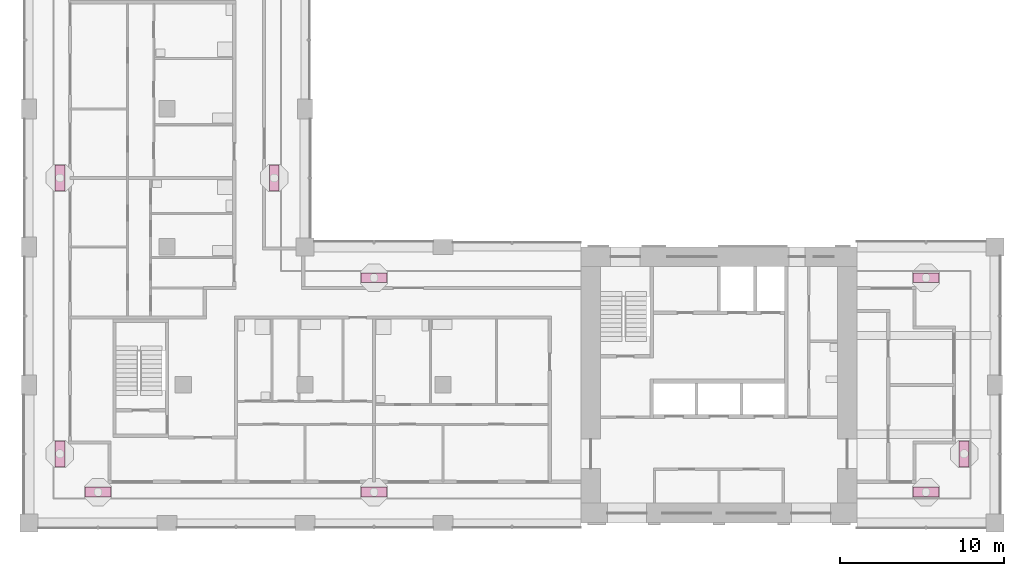
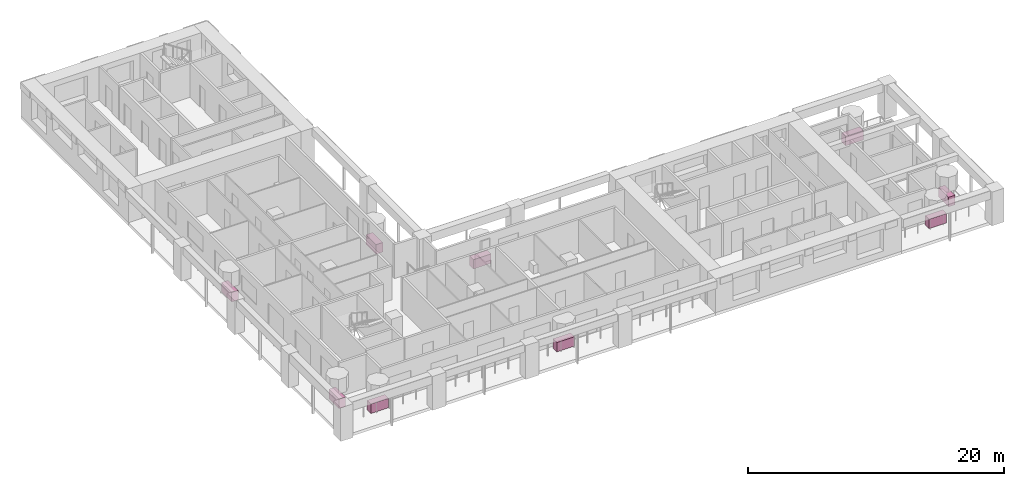
# One storey, part 12 of 13: 9 furniture elements.
"""IFC4 building model written with IfcOpenShell, lengths in metres."""

import ifcopenshell
import ifcopenshell.guid

model = None  # the IFC model being written
_history = None  # IfcOwnerHistory: only IFC2X3 demands one
_inside = {}  # id of a spatial element -> (the spatial element, [elements in it])
_under = {}  # id of a project, library or spatial element -> (it, [spatial elements below it])
_declared = {}  # id of a project -> (the project, [libraries it declares])
_typed = {}  # id of a type object -> (the type object, [elements of that type])
_made_of = {}  # id of a material, layer set ... -> (it, [elements and type objects made of it])


def new_model(schema):
    """Start an empty IFC model of exactly this schema.

    Asked for "IFC4X3", IfcOpenShell would pick the latest addendum, in which some entities
    have other attributes; the version numbers below select the first issue.
    IFC2X3 requires an IfcOwnerHistory on every rooted entity: one is made here for all.
    """
    global model, _history
    if schema == "IFC4X3":
        model = ifcopenshell.file(schema_version=(4, 3, 0, 0))
    else:
        model = ifcopenshell.file(schema=schema)
    _inside.clear()
    _under.clear()
    _declared.clear()
    _typed.clear()
    _made_of.clear()
    _history = None
    if model.schema == "IFC2X3":
        org = make("IfcOrganization", Name="unknown")
        user = make(
            "IfcPersonAndOrganization",
            ThePerson=make("IfcPerson", FamilyName="unknown"),
            TheOrganization=org,
        )
        app = make(
            "IfcApplication",
            ApplicationDeveloper=org,
            Version="unknown",
            ApplicationFullName="unknown",
            ApplicationIdentifier="unknown",
        )
        _history = make(
            "IfcOwnerHistory",
            OwningUser=user,
            OwningApplication=app,
            ChangeAction="ADDED",
            CreationDate=0,
        )
    return model


def make(cls, **values):
    """One entity of the class cls with the attributes given. An attribute that is None is left unset."""
    return model.create_entity(
        cls, **{name: value for name, value in values.items() if value is not None}
    )


def rooted(cls, **values):
    """An entity with a GlobalId (a new one), such as an element, a storey or a relation."""
    return make(cls, GlobalId=ifcopenshell.guid.new(), OwnerHistory=_history, **values)


def si_unit(unit_type, name, prefix=None):
    """IfcSIUnit, for example si_unit("LENGTHUNIT", "METRE", prefix="MILLI")."""
    return make("IfcSIUnit", UnitType=unit_type, Prefix=prefix, Name=name)


def assignment(units):
    """IfcUnitAssignment: the units of a project."""
    return None if units is None else make("IfcUnitAssignment", Units=units)


def point(xyz):
    """IfcCartesianPoint."""
    return None if xyz is None else make("IfcCartesianPoint", Coordinates=xyz)


def direction(xyz):
    """IfcDirection."""
    return None if xyz is None else make("IfcDirection", DirectionRatios=xyz)


def frame(location, z_axis=None, x_axis=None):
    """IfcAxis2Placement3D, a coordinate frame: its origin and axes. An axis left out is left unset."""
    return make(
        "IfcAxis2Placement3D",
        Location=point(location),
        Axis=direction(z_axis),
        RefDirection=direction(x_axis),
    )


def frame_2d(location, x_axis=None):
    """IfcAxis2Placement2D, a coordinate frame in the plane: its origin and x axis."""
    return make(
        "IfcAxis2Placement2D", Location=point(location), RefDirection=direction(x_axis)
    )


def origin():
    """The frame at (0, 0, 0) with its axes left unset."""
    return frame((0.0, 0.0, 0.0))


def origin_2d():
    """The frame at (0, 0) in the plane with its x axis left unset."""
    return frame_2d((0.0, 0.0))


def place(relative_to, where):
    """IfcLocalPlacement: puts the frame where relative to a parent placement (None: the world)."""
    return make(
        "IfcLocalPlacement", PlacementRelTo=relative_to, RelativePlacement=where
    )


def context(
    kind, dimensions, precision=None, world=None, true_north=None, identifier=None
):
    """IfcGeometricRepresentationContext, for example the 3D "Model" context."""
    return make(
        "IfcGeometricRepresentationContext",
        ContextIdentifier=identifier,
        ContextType=kind,
        CoordinateSpaceDimension=dimensions,
        Precision=precision,
        WorldCoordinateSystem=world,
        TrueNorth=true_north,
    )


def subcontext(parent, identifier, kind, view, scale=None):
    """IfcGeometricRepresentationSubContext, for example "Body" below "Model"."""
    return make(
        "IfcGeometricRepresentationSubContext",
        ContextIdentifier=identifier,
        ContextType=kind,
        ParentContext=parent,
        TargetScale=scale,
        TargetView=view,
    )


def project(units=None, contexts=None):
    """IfcProject with its units and contexts."""
    return rooted(
        "IfcProject",
        Name="project",
        RepresentationContexts=contexts,
        UnitsInContext=assignment(units),
    )


def spatial(cls, under=None, at=None, **own):
    """A site, building, storey or space (cls), placed at a placement, below another one or the project."""
    s = rooted(cls, ObjectPlacement=at, **own)
    if under is not None:
        _under.setdefault(under.id(), (under, []))[1].append(s)
    return s


def profile(cls, at=None, kind="AREA", **sizes):
    """A parametric profile (cls). Its sizes go by their IFC names, for example OverallWidth=200.0."""
    return make(cls, ProfileType=kind, Position=at, **sizes)


def rectangle(**sizes):
    """IfcRectangleProfileDef."""
    return profile("IfcRectangleProfileDef", **sizes)


def extrude(swept, where, along, depth):
    """IfcExtrudedAreaSolid: the profile swept, set in the frame where, extruded along a direction by depth."""
    return make(
        "IfcExtrudedAreaSolid",
        SweptArea=swept,
        Position=where,
        ExtrudedDirection=direction(along),
        Depth=depth,
    )


def shape(context_of_items, identifier, shape_type, items):
    """IfcShapeRepresentation: the items that make up one representation, for example the "Body"."""
    return make(
        "IfcShapeRepresentation",
        ContextOfItems=context_of_items,
        RepresentationIdentifier=identifier,
        RepresentationType=shape_type,
        Items=items,
    )


def material(Name=None, Category=None):
    """IfcMaterial."""
    return make("IfcMaterial", Name=Name, Category=Category)


def made_of(thing, what):
    """Note that an element or type object is made of a material, layer set ...; save() writes the relation."""
    if what is not None:
        _made_of.setdefault(what.id(), (what, []))[1].append(thing)
    return thing


def element(
    cls,
    number,
    at=None,
    inside=None,
    cuts=None,
    type_object=None,
    material=None,
    context=None,
    identifier="Body",
    shape_type=None,
    held_by="IfcProductDefinitionShape",
    body=None,
    shapes=None,
    **own,
):
    """One element of the class cls, such as IfcWall. Its Tag is "e" and its number.

    at: its placement. inside: the storey or other place that contains it. cuts: it is an
    opening in that element (IfcRelVoidsElement). A single representation is given by context,
    identifier, shape_type and body (its items); several are given by shapes. held_by: the class
    of the entity that holds the representations. save() writes the other relations.
    """
    e = rooted(cls, Tag="e%d" % number, ObjectPlacement=at, **own)
    if body is not None:
        shapes = [shape(context, identifier, shape_type, body)]
    if shapes is not None:
        e.Representation = make(held_by, Representations=shapes)
    if inside is not None:
        _inside.setdefault(inside.id(), (inside, []))[1].append(e)
    if cuts is not None:
        rooted(
            "IfcRelVoidsElement", RelatingBuildingElement=cuts, RelatedOpeningElement=e
        )
    if type_object is not None:
        _typed.setdefault(type_object.id(), (type_object, []))[1].append(e)
    return made_of(e, material)


def aggregate(whole, parts):
    """IfcRelAggregates: a whole, such as a stair, and the parts it consists of."""
    return rooted("IfcRelAggregates", RelatingObject=whole, RelatedObjects=parts)


def save(model, path):
    """Write the relations noted so far, then the file.

    IfcRelAggregates (storeys below a building ...), IfcRelContainedInSpatialStructure (elements
    in a storey), IfcRelDefinesByType, IfcRelAssociatesMaterial and IfcRelDeclares: one each for
    every whole, place, type object, material and project.
    """
    for whole, parts in _under.values():
        aggregate(whole, parts)
    for where, things in _inside.values():
        rooted(
            "IfcRelContainedInSpatialStructure",
            RelatedElements=things,
            RelatingStructure=where,
        )
    for kind, things in _typed.values():
        rooted("IfcRelDefinesByType", RelatedObjects=things, RelatingType=kind)
    for what, things in _made_of.values():
        rooted("IfcRelAssociatesMaterial", RelatedObjects=things, RelatingMaterial=what)
    for by, libraries in _declared.values():
        rooted("IfcRelDeclares", RelatingContext=by, RelatedDefinitions=libraries)
    model.write(path)


model = new_model("IFC4")

# Units and contexts
model_context = context("Model", 3, precision=1e-05, world=origin(), true_north=direction((0.0, 1.0)))
body_context = subcontext(model_context, "Body", "Model", "MODEL_VIEW")
ifc_project = project(units=[si_unit("LENGTHUNIT", "METRE"), si_unit("AREAUNIT", "SQUARE_METRE"), si_unit("VOLUMEUNIT", "CUBIC_METRE"), si_unit("PLANEANGLEUNIT", "RADIAN"), si_unit("MASSUNIT", "GRAM", prefix="KILO")], contexts=[model_context])

# Site, building, storey
site_placement = place(None, origin())
site = spatial("IfcSite", under=ifc_project, at=site_placement, CompositionType="ELEMENT")
building_placement = place(site_placement, origin())
building = spatial("IfcBuilding", under=site, at=building_placement, Name="Vermilion Gate Residences", CompositionType="ELEMENT")
storey_placement = place(building_placement, frame((0.0, 0.0, 179.199951171875)))
storey = spatial("IfcBuildingStorey", under=building, at=storey_placement, Name="L46", CompositionType="ELEMENT", Elevation=179.199951171875)

# Furniture
ifc_material = material(Name="Terracotta planter", Category="masonry")
for number, where, z_axis, x_axis, name in (
    (1, (12.60009765625, 10.27490234375, 0.0), (0.0, 0.0, 1.0), (1.0, 0.0, 0.0), "PLANTER"),
    (2, (29.39990234375, 10.27490234375, 0.0), (0.0, 0.0, 1.0), (1.0, 0.0, 0.0), "PLANTER"),
    (3, (63.0, 10.27490234375, 0.0), (0.0, 0.0, 1.0), (1.0, 0.0, 0.0), "PLANTER"),
    (4, (65.324951171875, 12.60009765625, 0.0), (0.0, 0.0, 1.0), (0.0, 1.0, 0.0), "PLANTER"),
    (5, (29.39990234375, 23.324951171875, 0.0), (0.0, 0.0, 1.0), (-1.0, 0.0, 0.0), "PLANTER"),
    (6, (63.0, 23.324951171875, 0.0), (0.0, 0.0, 1.0), (-1.0, 0.0, 0.0), "PLANTER"),
    (7, (23.324951171875, 29.39990234375, 0.0), (0.0, 0.0, 1.0), (0.0, 1.0, 0.0), "PLANTER"),
    (8, (10.27490234375, 12.60009765625, 0.0), (0.0, 0.0, 1.0), (0.0, -1.0, 0.0), "PLANTER"),
    (9, (10.27490234375, 29.39990234375, 0.0), (0.0, 0.0, 1.0), (0.0, -1.0, 0.0), "PLANTER"),
):
    element("IfcFurniture", number, at=place(storey_placement, frame(where, z_axis=z_axis, x_axis=x_axis)), inside=storey, material=ifc_material, Name=name, ObjectType="PLANTER", PredefinedType="USERDEFINED", context=body_context, shape_type="SweptSolid", body=[
        extrude(rectangle(XDim=1.60009765625, YDim=0.60009765625, at=origin_2d()), origin(), (0.0, 0.0, 1.0), 0.89990234375),
    ])

save(model, "model.ifc")
